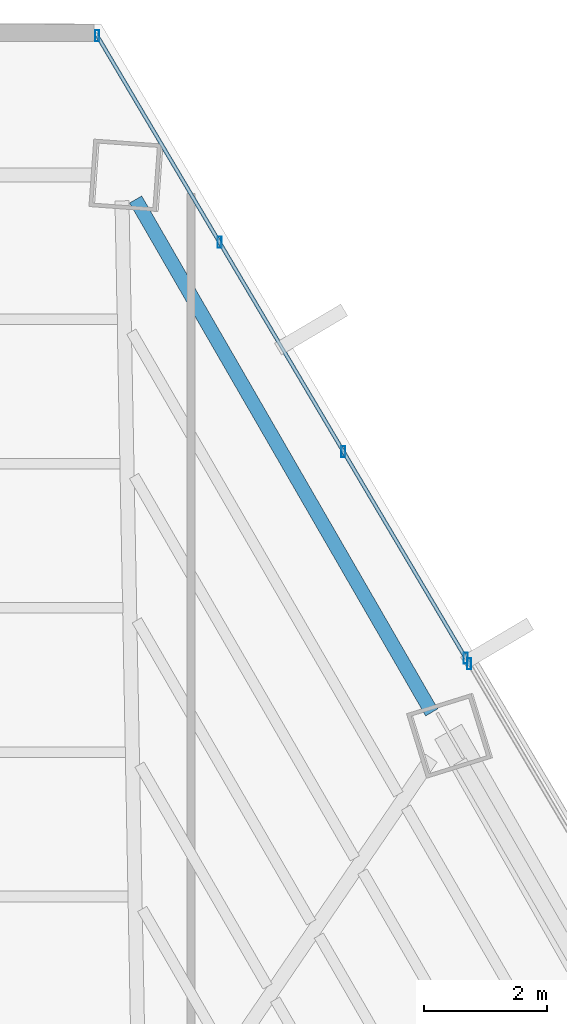
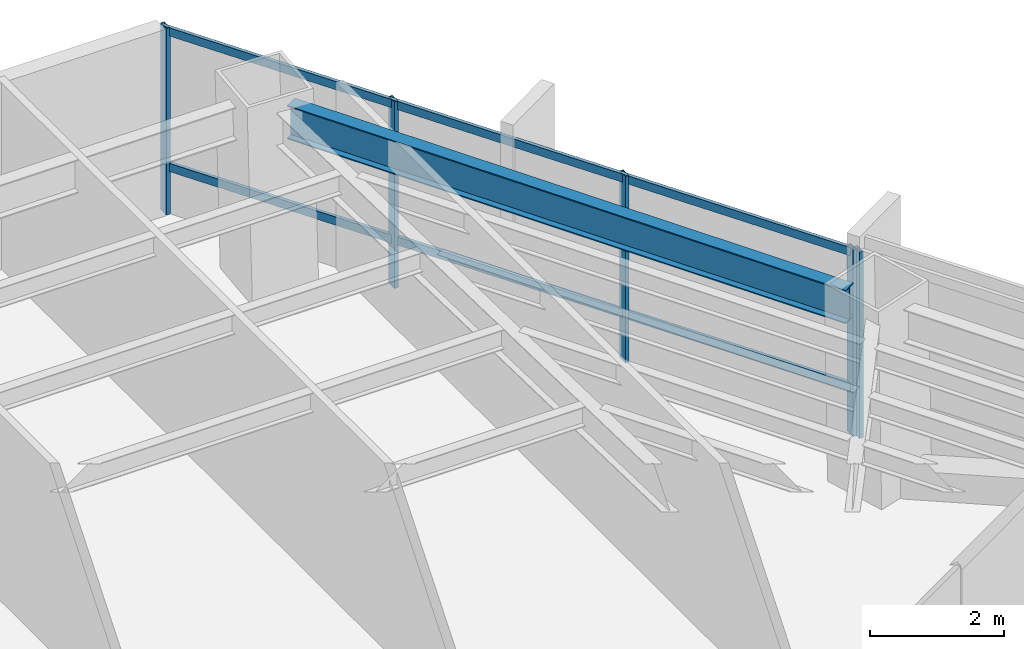
# One storey, part 28 of 36: 7 members, 1 beam, 2 elements without a shape of their own.
"""IFC4 building model written with IfcOpenShell, lengths in metres."""

from ifc_helpers import new_model, si_unit, direction, frame, origin, origin_2d, place, context, subcontext, project, spatial, hollow_rectangle, i_section, extrude, source, transform, mapped, material, material_profile, profile_set, type_object, type_shapes, element, aggregate, save


model = new_model("IFC4")

# Units and contexts
model_context = context("Model", 3, precision=1e-05, world=origin(), true_north=direction((0.0, 1.0)))
body_context = subcontext(model_context, "Body", "Model", "MODEL_VIEW")
ifc_project = project(units=[si_unit("LENGTHUNIT", "METRE"), si_unit("AREAUNIT", "SQUARE_METRE"), si_unit("VOLUMEUNIT", "CUBIC_METRE"), si_unit("PLANEANGLEUNIT", "RADIAN"), si_unit("MASSUNIT", "GRAM", prefix="KILO")], contexts=[model_context])

# Site, building, storey
site_placement = place(None, origin())
site = spatial("IfcSite", under=ifc_project, at=site_placement, CompositionType="ELEMENT")
building_placement = place(site_placement, origin())
building = spatial("IfcBuilding", under=site, at=building_placement, Name="Caelisora Broadcast Tower", CompositionType="ELEMENT")
storey_placement = place(building_placement, frame((0.0, 0.0, 112.699951171875)))
storey = spatial("IfcBuildingStorey", under=building, at=storey_placement, Name="L29", CompositionType="ELEMENT", Elevation=112.699951171875)

# Beam
ifc_material_1 = material(Name="Steel Grade 350 (AS/NZS 3679.1)", Category="steel")
ifc_material_profile_1 = material_profile(ifc_material_1, i_section(OverallWidth=0.22900390625, OverallDepth=0.611572265625, WebThickness=0.011962890625, FlangeThickness=0.01953125, at=origin_2d()), Name="Steel Grade 350 (AS/NZS 3679.1)")
ifc_profile_set_1 = profile_set([ifc_material_profile_1], Name="Steel Grade 350 (AS/NZS 3679.1)")
beam_type = type_object("IfcBeamType", Name="PG03", PredefinedType="BEAM", material=ifc_profile_set_1)
shared_shape_1 = source(origin(), body_context, "Body", "SweptSolid", [
    extrude(i_section(OverallWidth=0.22900390625, OverallDepth=0.611572265625, WebThickness=0.011962890625, FlangeThickness=0.01953125, at=origin_2d()), origin(), (0.0, 0.0, 1.0), 9.6318359375),
])
type_shapes(beam_type, [shared_shape_1])
beam_placement = place(storey_placement, frame((50.2373046875, 37.6884765625, 3.09423828125), z_axis=(-0.50000476601, 0.86602265211, 0.0), x_axis=(-0.86602265211, -0.50000476601, 0.0)))
element("IfcBeam", 1, at=beam_placement, inside=storey, type_object=beam_type, Name="L29 beam PG03", PredefinedType="BEAM", context=body_context, shape_type="MappedRepresentation", body=[
    mapped(shared_shape_1, transform((0.0, 0.0, 0.0), scale=1.0)),
])

# Curtain wall, members
ifc_material_2 = material(Name="Unitised Aluminium and Low-E Glass Curtain Wall", Category="glass")
curtain_wall_type_1 = type_object("IfcCurtainWallType", Name="CW-Z2", PredefinedType="NOTDEFINED", material=ifc_material_2)
curtain_wall_1_placement = place(storey_placement, origin())
curtain_wall_1 = element("IfcCurtainWall", 2, at=curtain_wall_1_placement, inside=storey, type_object=curtain_wall_type_1, Name="L29 curtain wall CW-Z2", PredefinedType="NOTDEFINED")
ifc_material_3 = material(Name="Aluminium 6063-T6 Anodised Terracotta Bronze", Category="aluminium")
ifc_material_profile_2 = material_profile(ifc_material_3, hollow_rectangle(XDim=0.06494140625, YDim=0.179931640625, WallThickness=0.00341796875, at=origin_2d()), Name="Aluminium 6063-T6 Anodised Terracotta Bronze")
ifc_profile_set_2 = profile_set([ifc_material_profile_2], Name="Aluminium 6063-T6 Anodised Terracotta Bronze")
member_type_1 = type_object("IfcMemberType", Name="CWM-02", PredefinedType="MULLION", material=ifc_profile_set_2)
shared_shape_2 = source(origin(), body_context, "Body", "SweptSolid", [
    extrude(hollow_rectangle(XDim=0.06494140625, YDim=0.179931640625, WallThickness=0.00341796875, at=origin_2d()), origin(), (0.0, 0.0, 1.0), 3.400146484375),
])
type_shapes(member_type_1, [shared_shape_2])
member_1_placement = place(storey_placement, frame((44.79638671875, 48.693115234375, 0.0), z_axis=(0.0, 0.0, 1.0), x_axis=(1.0, 0.0, 0.0)))
member_1 = element("IfcMember", 3, at=member_1_placement, type_object=member_type_1, Name="L29-CW-B01 mullion #0", PredefinedType="MULLION", context=body_context, shape_type="MappedRepresentation", body=[
    mapped(shared_shape_2, transform((0.0, 0.0, 0.0), scale=1.0)),
])
member_2_placement = place(storey_placement, frame((46.785888671875, 45.33349609375, 0.0), z_axis=(0.0, 0.0, 1.0), x_axis=(1.0, 0.0, 0.0)))
member_2 = element("IfcMember", 4, at=member_2_placement, type_object=member_type_1, Name="L29-CW-B01 mullion #1", PredefinedType="MULLION", context=body_context, shape_type="MappedRepresentation", body=[
    mapped(shared_shape_2, transform((0.0, 0.0, 0.0), scale=1.0)),
])
member_3_placement = place(storey_placement, frame((48.80078125, 41.9306640625, 0.0), z_axis=(0.0, 0.0, 1.0), x_axis=(1.0, 0.0, 0.0)))
member_3 = element("IfcMember", 5, at=member_3_placement, type_object=member_type_1, Name="L29-CW-B01 mullion #2", PredefinedType="MULLION", context=body_context, shape_type="MappedRepresentation", body=[
    mapped(shared_shape_2, transform((0.0, 0.0, 0.0), scale=1.0)),
])
member_4_placement = place(storey_placement, frame((50.7900390625, 38.571044921875, 0.0), z_axis=(0.0, 0.0, 1.0), x_axis=(1.0, 0.0, 0.0)))
member_4 = element("IfcMember", 6, at=member_4_placement, type_object=member_type_1, Name="L29-CW-B01 mullion #3", PredefinedType="MULLION", context=body_context, shape_type="MappedRepresentation", body=[
    mapped(shared_shape_2, transform((0.0, 0.0, 0.0), scale=1.0)),
])

# Curtain wall, member
ifc_material_4 = material(Name="Unitised Aluminium Insulated Shadow-Box Spandrel Curtain Wall", Category="aluminium")
curtain_wall_type_2 = type_object("IfcCurtainWallType", Name="CW-SP1", PredefinedType="NOTDEFINED", material=ifc_material_4)
curtain_wall_2_placement = place(storey_placement, origin())
curtain_wall_2 = element("IfcCurtainWall", 7, at=curtain_wall_2_placement, inside=storey, type_object=curtain_wall_type_2, Name="L29 curtain wall CW-SP1", PredefinedType="NOTDEFINED")
member_5_placement = place(storey_placement, frame((50.84619140625, 38.4765625, 0.0), z_axis=(0.0, 0.0, 1.0), x_axis=(1.0, 0.0, 0.0)))
member_5 = element("IfcMember", 8, at=member_5_placement, type_object=member_type_1, Name="L29-CW-B02 mullion #0", PredefinedType="MULLION", context=body_context, shape_type="MappedRepresentation", body=[
    mapped(shared_shape_2, transform((0.0, 0.0, 0.0), scale=1.0)),
])
aggregate(curtain_wall_2, [member_5])

# Member
ifc_material_profile_3 = material_profile(ifc_material_3, hollow_rectangle(XDim=0.06005859375, YDim=0.14990234375, WallThickness=0.00341796875, at=origin_2d()), Name="Aluminium 6063-T6 Anodised Terracotta Bronze")
ifc_profile_set_3 = profile_set([ifc_material_profile_3], Name="Aluminium 6063-T6 Anodised Terracotta Bronze")
member_type_2 = type_object("IfcMemberType", Name="CWT-02", PredefinedType="USERDEFINED", material=ifc_profile_set_3)
shared_shape_3 = source(origin(), body_context, "Body", "SweptSolid", [
    extrude(hollow_rectangle(XDim=0.06005859375, YDim=0.14990234375, WallThickness=0.00341796875, at=origin_2d()), origin(), (0.0, 0.0, 1.0), 11.763427734375),
])
type_shapes(member_type_2, [shared_shape_3])
member_6_placement = place(storey_placement, frame((44.79638671875, 48.693115234375, 0.85009765625), z_axis=(0.509512225842, -0.860463416839, 0.0), x_axis=(0.860463416839, 0.509512225842, 0.0)))
member_6 = element("IfcMember", 9, at=member_6_placement, type_object=member_type_2, Name="L29-CW-B01 transom #1", ObjectType="TRANSOM", PredefinedType="USERDEFINED", context=body_context, shape_type="MappedRepresentation", body=[
    mapped(shared_shape_3, transform((0.0, 0.0, 0.0), scale=1.0)),
])

member_7_placement = place(storey_placement, frame((44.79638671875, 48.693115234375, 3.320068359375), z_axis=(0.509512225842, -0.860463416839, 0.0), x_axis=(0.860463416839, 0.509512225842, 0.0)))
member_7 = element("IfcMember", 10, at=member_7_placement, type_object=member_type_2, Name="L29-CW-B01 transom #2", ObjectType="TRANSOM", PredefinedType="USERDEFINED", context=body_context, shape_type="MappedRepresentation", body=[
    mapped(shared_shape_3, transform((0.0, 0.0, 0.0), scale=1.0)),
])

aggregate(curtain_wall_1, [member_1, member_2, member_3, member_4, member_6, member_7])

save(model, "model.ifc")
